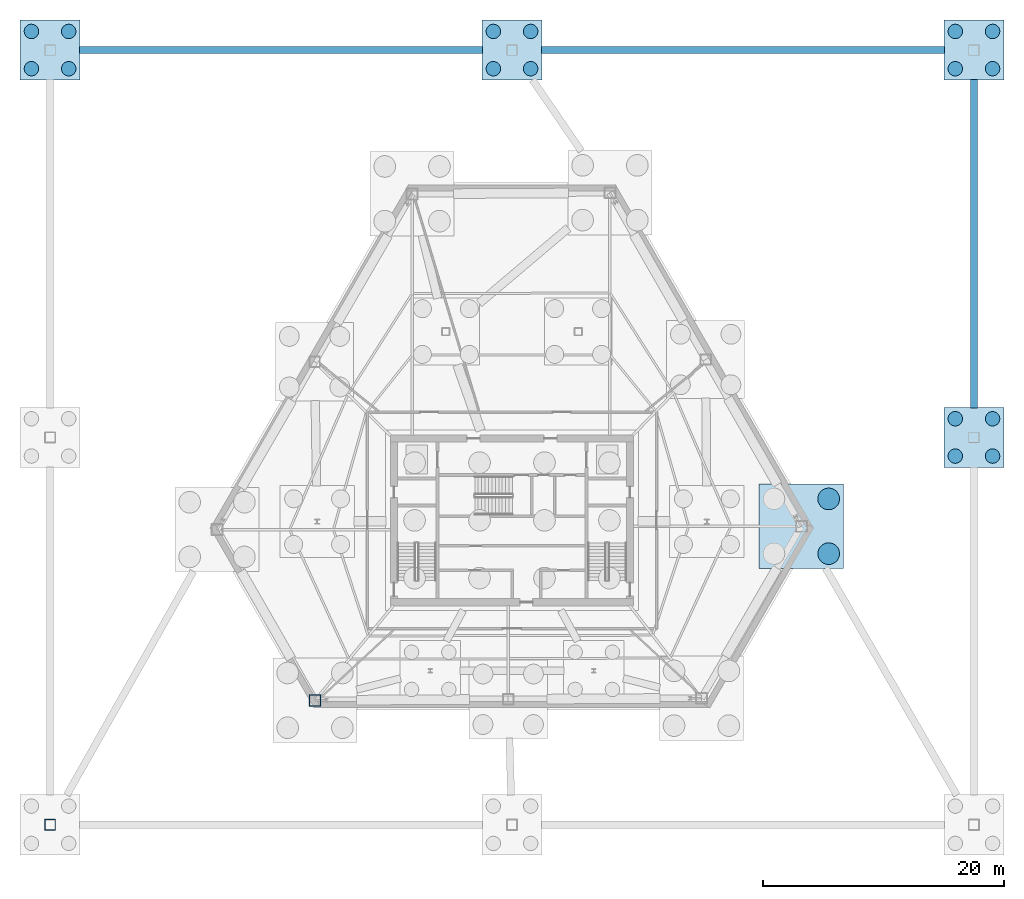
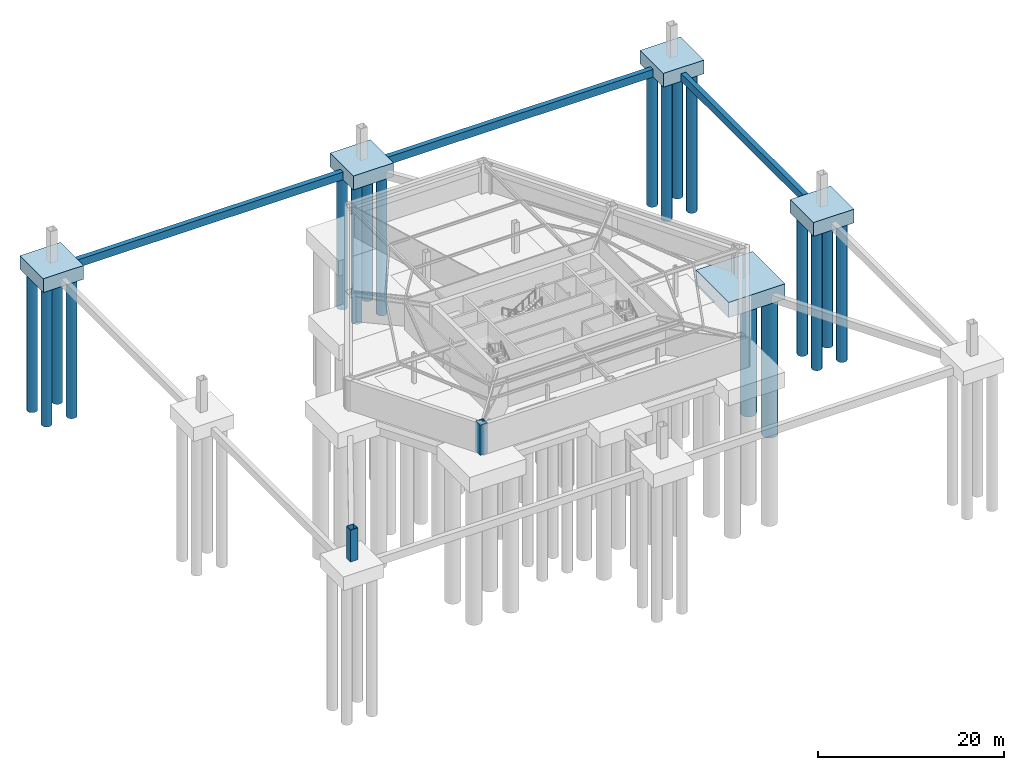
# One storey, part 2 of 11: 18 piles, 8 footings, 2 columns.
"""IFC4 building model written with IfcOpenShell, lengths in metres."""

import ifcopenshell
import ifcopenshell.guid

model = None  # the IFC model being written
_history = None  # IfcOwnerHistory: only IFC2X3 demands one
_inside = {}  # id of a spatial element -> (the spatial element, [elements in it])
_under = {}  # id of a project, library or spatial element -> (it, [spatial elements below it])
_declared = {}  # id of a project -> (the project, [libraries it declares])
_typed = {}  # id of a type object -> (the type object, [elements of that type])
_made_of = {}  # id of a material, layer set ... -> (it, [elements and type objects made of it])


def new_model(schema):
    """Start an empty IFC model of exactly this schema.

    Asked for "IFC4X3", IfcOpenShell would pick the latest addendum, in which some entities
    have other attributes; the version numbers below select the first issue.
    IFC2X3 requires an IfcOwnerHistory on every rooted entity: one is made here for all.
    """
    global model, _history
    if schema == "IFC4X3":
        model = ifcopenshell.file(schema_version=(4, 3, 0, 0))
    else:
        model = ifcopenshell.file(schema=schema)
    _inside.clear()
    _under.clear()
    _declared.clear()
    _typed.clear()
    _made_of.clear()
    _history = None
    if model.schema == "IFC2X3":
        org = make("IfcOrganization", Name="unknown")
        user = make(
            "IfcPersonAndOrganization",
            ThePerson=make("IfcPerson", FamilyName="unknown"),
            TheOrganization=org,
        )
        app = make(
            "IfcApplication",
            ApplicationDeveloper=org,
            Version="unknown",
            ApplicationFullName="unknown",
            ApplicationIdentifier="unknown",
        )
        _history = make(
            "IfcOwnerHistory",
            OwningUser=user,
            OwningApplication=app,
            ChangeAction="ADDED",
            CreationDate=0,
        )
    return model


def make(cls, **values):
    """One entity of the class cls with the attributes given. An attribute that is None is left unset."""
    return model.create_entity(
        cls, **{name: value for name, value in values.items() if value is not None}
    )


def rooted(cls, **values):
    """An entity with a GlobalId (a new one), such as an element, a storey or a relation."""
    return make(cls, GlobalId=ifcopenshell.guid.new(), OwnerHistory=_history, **values)


def si_unit(unit_type, name, prefix=None):
    """IfcSIUnit, for example si_unit("LENGTHUNIT", "METRE", prefix="MILLI")."""
    return make("IfcSIUnit", UnitType=unit_type, Prefix=prefix, Name=name)


def assignment(units):
    """IfcUnitAssignment: the units of a project."""
    return None if units is None else make("IfcUnitAssignment", Units=units)


def point(xyz):
    """IfcCartesianPoint."""
    return None if xyz is None else make("IfcCartesianPoint", Coordinates=xyz)


def direction(xyz):
    """IfcDirection."""
    return None if xyz is None else make("IfcDirection", DirectionRatios=xyz)


def frame(location, z_axis=None, x_axis=None):
    """IfcAxis2Placement3D, a coordinate frame: its origin and axes. An axis left out is left unset."""
    return make(
        "IfcAxis2Placement3D",
        Location=point(location),
        Axis=direction(z_axis),
        RefDirection=direction(x_axis),
    )


def frame_2d(location, x_axis=None):
    """IfcAxis2Placement2D, a coordinate frame in the plane: its origin and x axis."""
    return make(
        "IfcAxis2Placement2D", Location=point(location), RefDirection=direction(x_axis)
    )


def origin():
    """The frame at (0, 0, 0) with its axes left unset."""
    return frame((0.0, 0.0, 0.0))


def origin_2d():
    """The frame at (0, 0) in the plane with its x axis left unset."""
    return frame_2d((0.0, 0.0))


def place(relative_to, where):
    """IfcLocalPlacement: puts the frame where relative to a parent placement (None: the world)."""
    return make(
        "IfcLocalPlacement", PlacementRelTo=relative_to, RelativePlacement=where
    )


def context(
    kind, dimensions, precision=None, world=None, true_north=None, identifier=None
):
    """IfcGeometricRepresentationContext, for example the 3D "Model" context."""
    return make(
        "IfcGeometricRepresentationContext",
        ContextIdentifier=identifier,
        ContextType=kind,
        CoordinateSpaceDimension=dimensions,
        Precision=precision,
        WorldCoordinateSystem=world,
        TrueNorth=true_north,
    )


def subcontext(parent, identifier, kind, view, scale=None):
    """IfcGeometricRepresentationSubContext, for example "Body" below "Model"."""
    return make(
        "IfcGeometricRepresentationSubContext",
        ContextIdentifier=identifier,
        ContextType=kind,
        ParentContext=parent,
        TargetScale=scale,
        TargetView=view,
    )


def project(units=None, contexts=None):
    """IfcProject with its units and contexts."""
    return rooted(
        "IfcProject",
        Name="project",
        RepresentationContexts=contexts,
        UnitsInContext=assignment(units),
    )


def spatial(cls, under=None, at=None, **own):
    """A site, building, storey or space (cls), placed at a placement, below another one or the project."""
    s = rooted(cls, ObjectPlacement=at, **own)
    if under is not None:
        _under.setdefault(under.id(), (under, []))[1].append(s)
    return s


def profile(cls, at=None, kind="AREA", **sizes):
    """A parametric profile (cls). Its sizes go by their IFC names, for example OverallWidth=200.0."""
    return make(cls, ProfileType=kind, Position=at, **sizes)


def rectangle(**sizes):
    """IfcRectangleProfileDef."""
    return profile("IfcRectangleProfileDef", **sizes)


def hollow_rectangle(**sizes):
    """IfcRectangleHollowProfileDef."""
    return profile("IfcRectangleHollowProfileDef", **sizes)


def circle(**sizes):
    """IfcCircleProfileDef."""
    return profile("IfcCircleProfileDef", **sizes)


def extrude(swept, where, along, depth):
    """IfcExtrudedAreaSolid: the profile swept, set in the frame where, extruded along a direction by depth."""
    return make(
        "IfcExtrudedAreaSolid",
        SweptArea=swept,
        Position=where,
        ExtrudedDirection=direction(along),
        Depth=depth,
    )


def shape(context_of_items, identifier, shape_type, items):
    """IfcShapeRepresentation: the items that make up one representation, for example the "Body"."""
    return make(
        "IfcShapeRepresentation",
        ContextOfItems=context_of_items,
        RepresentationIdentifier=identifier,
        RepresentationType=shape_type,
        Items=items,
    )


def material(Name=None, Category=None):
    """IfcMaterial."""
    return make("IfcMaterial", Name=Name, Category=Category)


def material_profile(
    of_material, cross_section, Name=None, Category=None, Priority=None
):
    """IfcMaterialProfile: a cross section and its material."""
    return make(
        "IfcMaterialProfile",
        Name=Name,
        Material=of_material,
        Profile=cross_section,
        Priority=Priority,
        Category=Category,
    )


def profile_set(profiles, Name=None, composite=None):
    """IfcMaterialProfileSet."""
    return make(
        "IfcMaterialProfileSet",
        Name=Name,
        MaterialProfiles=profiles,
        CompositeProfile=composite,
    )


def made_of(thing, what):
    """Note that an element or type object is made of a material, layer set ...; save() writes the relation."""
    if what is not None:
        _made_of.setdefault(what.id(), (what, []))[1].append(thing)
    return thing


def type_object(cls, material=None, **own):
    """A type object (cls), such as IfcWallType, which elements share."""
    return made_of(rooted(cls, **own), material)


def element(
    cls,
    number,
    at=None,
    inside=None,
    cuts=None,
    type_object=None,
    material=None,
    context=None,
    identifier="Body",
    shape_type=None,
    held_by="IfcProductDefinitionShape",
    body=None,
    shapes=None,
    **own,
):
    """One element of the class cls, such as IfcWall. Its Tag is "e" and its number.

    at: its placement. inside: the storey or other place that contains it. cuts: it is an
    opening in that element (IfcRelVoidsElement). A single representation is given by context,
    identifier, shape_type and body (its items); several are given by shapes. held_by: the class
    of the entity that holds the representations. save() writes the other relations.
    """
    e = rooted(cls, Tag="e%d" % number, ObjectPlacement=at, **own)
    if body is not None:
        shapes = [shape(context, identifier, shape_type, body)]
    if shapes is not None:
        e.Representation = make(held_by, Representations=shapes)
    if inside is not None:
        _inside.setdefault(inside.id(), (inside, []))[1].append(e)
    if cuts is not None:
        rooted(
            "IfcRelVoidsElement", RelatingBuildingElement=cuts, RelatedOpeningElement=e
        )
    if type_object is not None:
        _typed.setdefault(type_object.id(), (type_object, []))[1].append(e)
    return made_of(e, material)


def aggregate(whole, parts):
    """IfcRelAggregates: a whole, such as a stair, and the parts it consists of."""
    return rooted("IfcRelAggregates", RelatingObject=whole, RelatedObjects=parts)


def save(model, path):
    """Write the relations noted so far, then the file.

    IfcRelAggregates (storeys below a building ...), IfcRelContainedInSpatialStructure (elements
    in a storey), IfcRelDefinesByType, IfcRelAssociatesMaterial and IfcRelDeclares: one each for
    every whole, place, type object, material and project.
    """
    for whole, parts in _under.values():
        aggregate(whole, parts)
    for where, things in _inside.values():
        rooted(
            "IfcRelContainedInSpatialStructure",
            RelatedElements=things,
            RelatingStructure=where,
        )
    for kind, things in _typed.values():
        rooted("IfcRelDefinesByType", RelatedObjects=things, RelatingType=kind)
    for what, things in _made_of.values():
        rooted("IfcRelAssociatesMaterial", RelatedObjects=things, RelatingMaterial=what)
    for by, libraries in _declared.values():
        rooted("IfcRelDeclares", RelatingContext=by, RelatedDefinitions=libraries)
    model.write(path)


model = new_model("IFC4")

# Units and contexts
model_context = context("Model", 3, precision=1e-05, world=origin(), true_north=direction((0.0, 1.0)))
body_context = subcontext(model_context, "Body", "Model", "MODEL_VIEW")
ifc_project = project(units=[si_unit("LENGTHUNIT", "METRE"), si_unit("AREAUNIT", "SQUARE_METRE"), si_unit("VOLUMEUNIT", "CUBIC_METRE"), si_unit("PLANEANGLEUNIT", "RADIAN"), si_unit("MASSUNIT", "GRAM", prefix="KILO")], contexts=[model_context])

# Site, building, storey
site_placement = place(None, origin())
site = spatial("IfcSite", under=ifc_project, at=site_placement, CompositionType="ELEMENT")
building_placement = place(site_placement, origin())
building = spatial("IfcBuilding", under=site, at=building_placement, Name="Kavelnor Concourse Tower", CompositionType="ELEMENT")
storey_placement = place(building_placement, frame((0.0, 0.0, -8.39990234375)))
storey = spatial("IfcBuildingStorey", under=building, at=storey_placement, Name="B02", CompositionType="ELEMENT", Elevation=-8.39990234375)

# Footings
ifc_material_1 = material(Name="Concrete C50/60", Category="concrete")
footing_type_1 = type_object("IfcFootingType", Name="FTG-CAP-INT", PredefinedType="PILE_CAP", material=ifc_material_1)
for number, where, z_axis, x_axis, name in (
    (1, (76.39990234375, 23.0, -1.80029296875), (0.0, 0.0, 1.0), (1.0, 0.0, 0.0), "Plaza Perimeter Pile Cap PLZ-E"),
    (2, (76.39990234375, 55.199951171875, -1.80029296875), (0.0, 0.0, 1.0), (1.0, 0.0, 0.0), "Plaza Perimeter Pile Cap PLZ-NE"),
    (3, (38.0, 55.199951171875, -1.80029296875), (0.0, 0.0, 1.0), (1.0, 0.0, 0.0), "Plaza Perimeter Pile Cap PLZ-N"),
    (4, (-0.39990234375, 55.199951171875, -1.80029296875), (0.0, 0.0, 1.0), (1.0, 0.0, 0.0), "Plaza Perimeter Pile Cap PLZ-NW"),
):
    element("IfcFooting", number, at=place(storey_placement, frame(where, z_axis=z_axis, x_axis=x_axis)), inside=storey, type_object=footing_type_1, Name=name, PredefinedType="PILE_CAP", context=body_context, shape_type="SweptSolid", body=[
        extrude(rectangle(XDim=5.0, YDim=5.0, at=origin_2d()), origin(), (0.0, 0.0, 1.0), 1.800048828125),
    ])
footing_type_2 = type_object("IfcFootingType", Name="FTG-CAP-MEGA-A", PredefinedType="PILE_CAP", material=ifc_material_1)
footing_1_placement = place(storey_placement, frame((62.05078125, 15.61328125, -2.0), z_axis=(0.0, 0.0, 1.0), x_axis=(1.0, 0.0, 0.0)))
element("IfcFooting", 5, at=footing_1_placement, inside=storey, type_object=footing_type_2, Name="Mega Column Pile Cap MC-V5", PredefinedType="PILE_CAP", context=body_context, shape_type="SweptSolid", body=[
    extrude(rectangle(XDim=7.0, YDim=7.0, at=origin_2d()), origin(), (0.0, 0.0, 1.0), 2.0),
])
ifc_material_profile_1 = material_profile(ifc_material_1, rectangle(XDim=0.60009765625, YDim=1.0, at=origin_2d()), Name="RC-GB 600x1000")
ifc_profile_set_1 = profile_set([ifc_material_profile_1], Name="Concrete C50/60")
footing_type_3 = type_object("IfcFootingType", Name="FTG-GB-600x1000", PredefinedType="FOOTING_BEAM", material=ifc_profile_set_1)
footing_2_placement = place(storey_placement, frame((76.39990234375, 25.4599609375, -1.300048828125), z_axis=(0.0, 1.0, 0.0), x_axis=(-1.0, 0.0, 0.0)))
element("IfcFooting", 6, at=footing_2_placement, inside=storey, type_object=footing_type_3, Name="Plaza Perimeter Ground Tie Beam 04", PredefinedType="FOOTING_BEAM", context=body_context, shape_type="SweptSolid", body=[
    extrude(rectangle(XDim=0.60009765625, YDim=1.0, at=origin_2d()), origin(), (0.0, 0.0, 1.0), 27.280029296875),
])
for number, where, z_axis, x_axis, name in (
    (7, (73.93994140625, 55.199951171875, -1.300048828125), (-1.0, 0.0, 0.0), (0.0, -1.0, 0.0), "Plaza Perimeter Ground Tie Beam 05"),
    (8, (35.5400390625, 55.199951171875, -1.300048828125), (-1.0, 0.0, 0.0), (0.0, -1.0, 0.0), "Plaza Perimeter Ground Tie Beam 06"),
):
    element("IfcFooting", number, at=place(storey_placement, frame(where, z_axis=z_axis, x_axis=x_axis)), inside=storey, type_object=footing_type_3, Name=name, PredefinedType="FOOTING_BEAM", context=body_context, shape_type="SweptSolid", body=[
        extrude(rectangle(XDim=0.60009765625, YDim=1.0, at=origin_2d()), origin(), (0.0, 0.0, 1.0), 33.47998046875),
    ])

# Piles
ifc_material_profile_2 = material_profile(ifc_material_1, circle(Radius=0.60009765625, at=origin_2d()), Name="PILE-D1200")
ifc_profile_set_2 = profile_set([ifc_material_profile_2], Name="Concrete C50/60")
pile_type_1 = type_object("IfcPileType", Name="PILE-BORED-1200", PredefinedType="BORED", material=ifc_profile_set_2)
for number, where, z_axis, x_axis, name in (
    (9, (74.85009765625, 21.449951171875, -1.7001953125), (0.0, 0.0, -1.0), (1.0, 0.0, 0.0), "Plaza Cap Bored Pile PLZ-E-1"),
    (10, (74.85009765625, 24.550048828125, -1.7001953125), (0.0, 0.0, -1.0), (1.0, 0.0, 0.0), "Plaza Cap Bored Pile PLZ-E-2"),
    (11, (77.949951171875, 21.449951171875, -1.7001953125), (0.0, 0.0, -1.0), (1.0, 0.0, 0.0), "Plaza Cap Bored Pile PLZ-E-3"),
    (12, (77.949951171875, 24.550048828125, -1.7001953125), (0.0, 0.0, -1.0), (1.0, 0.0, 0.0), "Plaza Cap Bored Pile PLZ-E-4"),
    (13, (74.85009765625, 53.64990234375, -1.7001953125), (0.0, 0.0, -1.0), (1.0, 0.0, 0.0), "Plaza Cap Bored Pile PLZ-NE-1"),
    (14, (74.85009765625, 56.75, -1.7001953125), (0.0, 0.0, -1.0), (1.0, 0.0, 0.0), "Plaza Cap Bored Pile PLZ-NE-2"),
    (15, (77.949951171875, 53.64990234375, -1.7001953125), (0.0, 0.0, -1.0), (1.0, 0.0, 0.0), "Plaza Cap Bored Pile PLZ-NE-3"),
    (16, (77.949951171875, 56.75, -1.7001953125), (0.0, 0.0, -1.0), (1.0, 0.0, 0.0), "Plaza Cap Bored Pile PLZ-NE-4"),
    (17, (36.449951171875, 53.64990234375, -1.7001953125), (0.0, 0.0, -1.0), (1.0, 0.0, 0.0), "Plaza Cap Bored Pile PLZ-N-1"),
    (18, (36.449951171875, 56.75, -1.7001953125), (0.0, 0.0, -1.0), (1.0, 0.0, 0.0), "Plaza Cap Bored Pile PLZ-N-2"),
    (19, (39.550048828125, 53.64990234375, -1.7001953125), (0.0, 0.0, -1.0), (1.0, 0.0, 0.0), "Plaza Cap Bored Pile PLZ-N-3"),
    (20, (39.550048828125, 56.75, -1.7001953125), (0.0, 0.0, -1.0), (1.0, 0.0, 0.0), "Plaza Cap Bored Pile PLZ-N-4"),
    (21, (-1.949951171875, 53.64990234375, -1.7001953125), (0.0, 0.0, -1.0), (1.0, 0.0, 0.0), "Plaza Cap Bored Pile PLZ-NW-1"),
    (22, (-1.949951171875, 56.75, -1.7001953125), (0.0, 0.0, -1.0), (1.0, 0.0, 0.0), "Plaza Cap Bored Pile PLZ-NW-2"),
    (23, (1.14990234375, 53.64990234375, -1.7001953125), (0.0, 0.0, -1.0), (1.0, 0.0, 0.0), "Plaza Cap Bored Pile PLZ-NW-3"),
    (24, (1.14990234375, 56.75, -1.7001953125), (0.0, 0.0, -1.0), (1.0, 0.0, 0.0), "Plaza Cap Bored Pile PLZ-NW-4"),
):
    element("IfcPile", number, at=place(storey_placement, frame(where, z_axis=z_axis, x_axis=x_axis)), inside=storey, type_object=pile_type_1, Name=name, PredefinedType="BORED", context=body_context, shape_type="SweptSolid", body=[
        extrude(circle(Radius=0.60009765625, at=origin_2d()), origin(), (0.0, 0.0, 1.0), 18.199951171875),
    ])
ifc_material_profile_3 = material_profile(ifc_material_1, circle(Radius=0.89990234375, at=origin_2d()), Name="PILE-D1800")
ifc_profile_set_3 = profile_set([ifc_material_profile_3], Name="Concrete C50/60")
pile_type_2 = type_object("IfcPileType", Name="PILE-BORED-1800", PredefinedType="BORED", material=ifc_profile_set_3)
for number, where, z_axis, x_axis, name in (
    (25, (64.325927734375, 13.338134765625, -1.900146484375), (0.0, 0.0, -1.0), (1.0, 0.0, 0.0), "Mega Cap Bored Pile MC-V5-3"),
    (26, (64.325927734375, 17.88818359375, -1.900146484375), (0.0, 0.0, -1.0), (1.0, 0.0, 0.0), "Mega Cap Bored Pile MC-V5-4"),
):
    element("IfcPile", number, at=place(storey_placement, frame(where, z_axis=z_axis, x_axis=x_axis)), inside=storey, type_object=pile_type_2, Name=name, PredefinedType="BORED", context=body_context, shape_type="SweptSolid", body=[
        extrude(circle(Radius=0.89990234375, at=origin_2d()), origin(), (0.0, 0.0, 1.0), 18.0),
    ])

# Columns
ifc_material_2 = material(Name="Steel Grade 350", Category="steel")
ifc_material_profile_4 = material_profile(ifc_material_2, hollow_rectangle(XDim=0.89990234375, YDim=0.89990234375, WallThickness=0.0380859375, at=origin_2d()), Name="SHS 900x900x38")
ifc_profile_set_4 = profile_set([ifc_material_profile_4], Name="Steel Grade 350")
column_type_1 = type_object("IfcColumnType", Name="COL-MEGA-900", PredefinedType="COLUMN", material=ifc_profile_set_4)
column_1_placement = place(storey_placement, frame((-0.39990234375, -9.199951171875, 0.0), z_axis=(0.0, 0.0, 1.0), x_axis=(1.0, 0.0, 0.0)))
element("IfcColumn", 27, at=column_1_placement, inside=storey, type_object=column_type_1, Name="B02 Plaza Support Column PLZ-SW", PredefinedType="COLUMN", context=body_context, shape_type="SweptSolid", body=[
    extrude(hollow_rectangle(XDim=0.89990234375, YDim=0.89990234375, WallThickness=0.0380859375, at=origin_2d()), origin(), (0.0, 0.0, 1.0), 4.179931640625),
])
ifc_material_profile_5 = material_profile(ifc_material_2, hollow_rectangle(XDim=0.949951171875, YDim=0.949951171875, WallThickness=0.0400390625, at=origin_2d()), Name="SHS 950x950x40")
ifc_profile_set_5 = profile_set([ifc_material_profile_5], Name="Steel Grade 350")
column_type_2 = type_object("IfcColumnType", Name="COL-MEGA-950", PredefinedType="COLUMN", material=ifc_profile_set_5)
column_2_placement = place(storey_placement, frame((21.62451171875, 1.142333984375, 0.0), z_axis=(0.0, 0.0, 1.0), x_axis=(1.0, 0.0, 0.0)))
element("IfcColumn", 28, at=column_2_placement, inside=storey, type_object=column_type_2, Name="B02 Perimeter Mega Column MC-V3", PredefinedType="COLUMN", context=body_context, shape_type="SweptSolid", body=[
    extrude(hollow_rectangle(XDim=0.949951171875, YDim=0.949951171875, WallThickness=0.0400390625, at=origin_2d()), origin(), (0.0, 0.0, 1.0), 3.949951171875),
])

save(model, "model.ifc")
